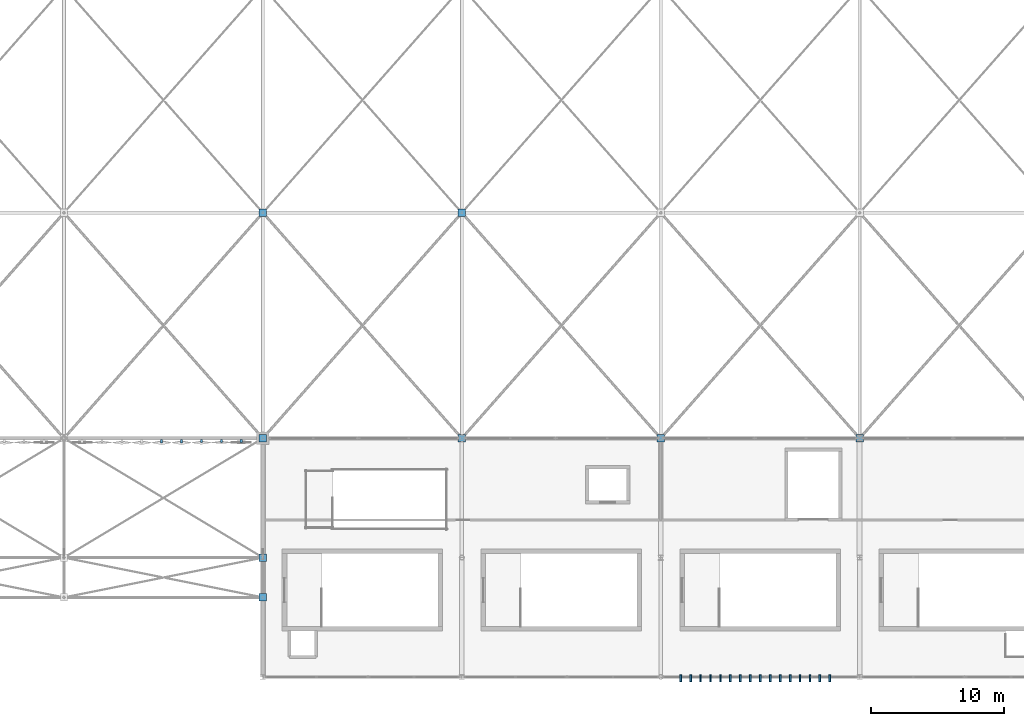
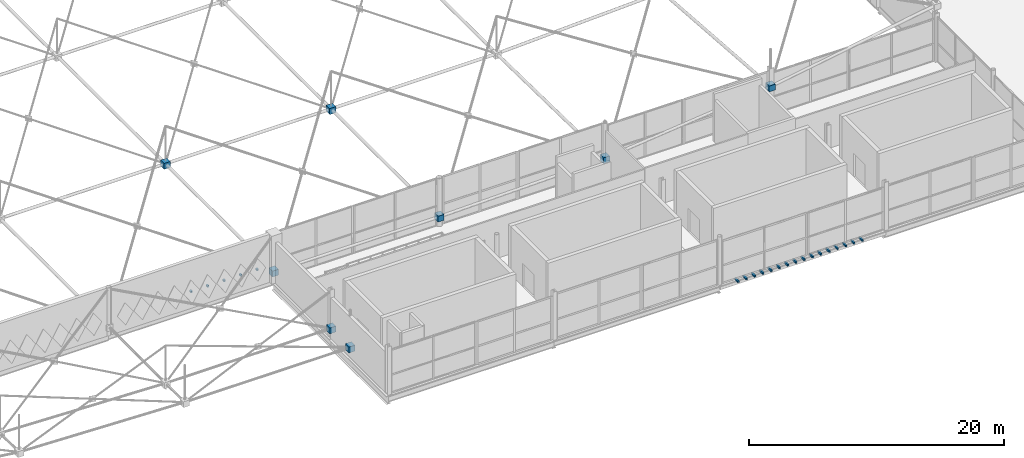
# One storey, part 206 of 224: 29 discrete accessories.
"""IFC4 building model written with IfcOpenShell, lengths in metres."""

from ifc_helpers import new_model, si_unit, direction, frame, origin, origin_2d, place, context, subcontext, project, spatial, rectangle, extrude, material, type_object, element, save


model = new_model("IFC4")

# Units and contexts
model_context = context("Model", 3, precision=1e-05, world=origin(), true_north=direction((0.0, 1.0)))
body_context = subcontext(model_context, "Body", "Model", "MODEL_VIEW")
ifc_project = project(units=[si_unit("LENGTHUNIT", "METRE"), si_unit("AREAUNIT", "SQUARE_METRE"), si_unit("VOLUMEUNIT", "CUBIC_METRE"), si_unit("PLANEANGLEUNIT", "RADIAN"), si_unit("MASSUNIT", "GRAM", prefix="KILO")], contexts=[model_context])

# Site, building, storey
site_placement = place(None, origin())
site = spatial("IfcSite", under=ifc_project, at=site_placement, CompositionType="ELEMENT")
building_placement = place(site_placement, origin())
building = spatial("IfcBuilding", under=site, at=building_placement, Name="Qamarlyn Nura Convention Centre", CompositionType="ELEMENT")
storey_placement = place(building_placement, frame((0.0, 0.0, 10.800048828125)))
storey = spatial("IfcBuildingStorey", under=building, at=storey_placement, Name="L02", CompositionType="ELEMENT", Elevation=10.800048828125)

# Discrete accessories
ifc_material_1 = material(Name="Marine Grade 316 stainless steel", Category="steel")
discrete_accessory_type_1 = type_object("IfcDiscreteAccessoryType", Name="ACC-FIN-BRK", PredefinedType="BRACKET", material=ifc_material_1)
for number, where, z_axis, x_axis, name in (
    (1, (91.5, -0.10009765625, -0.18017578125), (0.0, 0.0, 1.0), (0.0, -1.0, 0.0), "Vertical blade anchor bracket CLUST-A-01-L02"),
    (2, (92.25, -0.10009765625, -0.18017578125), (0.0, 0.0, 1.0), (0.0, -1.0, 0.0), "Vertical blade anchor bracket CLUST-A-02-L02"),
    (3, (93.0, -0.10009765625, -0.18017578125), (0.0, 0.0, 1.0), (0.0, -1.0, 0.0), "Vertical blade anchor bracket CLUST-A-03-L02"),
    (4, (93.75, -0.10009765625, -0.18017578125), (0.0, 0.0, 1.0), (0.0, -1.0, 0.0), "Vertical blade anchor bracket CLUST-A-04-L02"),
    (5, (94.5, -0.10009765625, -0.18017578125), (0.0, 0.0, 1.0), (0.0, -1.0, 0.0), "Vertical blade anchor bracket CLUST-A-05-L02"),
    (6, (95.25, -0.10009765625, -0.18017578125), (0.0, 0.0, 1.0), (0.0, -1.0, 0.0), "Vertical blade anchor bracket CLUST-A-06-L02"),
    (7, (96.0, -0.10009765625, -0.18017578125), (0.0, 0.0, 1.0), (0.0, -1.0, 0.0), "Vertical blade anchor bracket CLUST-A-07-L02"),
    (8, (96.75, -0.10009765625, -0.18017578125), (0.0, 0.0, 1.0), (0.0, -1.0, 0.0), "Vertical blade anchor bracket CLUST-A-08-L02"),
    (9, (97.5, -0.10009765625, -0.18017578125), (0.0, 0.0, 1.0), (0.0, -1.0, 0.0), "Vertical blade anchor bracket CLUST-A-09-L02"),
    (10, (98.25, -0.10009765625, -0.18017578125), (0.0, 0.0, 1.0), (0.0, -1.0, 0.0), "Vertical blade anchor bracket CLUST-A-10-L02"),
    (11, (99.0, -0.10009765625, -0.18017578125), (0.0, 0.0, 1.0), (0.0, -1.0, 0.0), "Vertical blade anchor bracket CLUST-A-11-L02"),
    (12, (99.75, -0.10009765625, -0.18017578125), (0.0, 0.0, 1.0), (0.0, -1.0, 0.0), "Vertical blade anchor bracket CLUST-A-12-L02"),
    (13, (100.5, -0.10009765625, -0.18017578125), (0.0, 0.0, 1.0), (0.0, -1.0, 0.0), "Vertical blade anchor bracket CLUST-A-13-L02"),
    (14, (101.25, -0.10009765625, -0.18017578125), (0.0, 0.0, 1.0), (0.0, -1.0, 0.0), "Vertical blade anchor bracket CLUST-A-14-L02"),
    (15, (102.0, -0.10009765625, -0.18017578125), (0.0, 0.0, 1.0), (0.0, -1.0, 0.0), "Vertical blade anchor bracket CLUST-A-15-L02"),
    (16, (102.75, -0.10009765625, -0.18017578125), (0.0, 0.0, 1.0), (0.0, -1.0, 0.0), "Vertical blade anchor bracket CLUST-A-16-L02"),
):
    element("IfcDiscreteAccessory", number, at=place(storey_placement, frame(where, z_axis=z_axis, x_axis=x_axis)), inside=storey, type_object=discrete_accessory_type_1, Name=name, PredefinedType="BRACKET", context=body_context, shape_type="SweptSolid", body=[
        extrude(rectangle(XDim=0.52001953125, YDim=0.139892578125, at=origin_2d()), origin(), (0.0, 0.0, 1.0), 0.159912109375),
    ])
ifc_material_2 = material(Name="Pearl-white PVDF steel ASTM A500 Grade C", Category="steel")
discrete_accessory_type_2 = type_object("IfcDiscreteAccessoryType", Name="ACC-SF-NODE", PredefinedType="USERDEFINED", material=ifc_material_2)
for number, where, z_axis, x_axis, name in (
    (17, (60.0, 6.0, 0.52001953125), (0.0, 0.0, 1.0), (1.0, 0.0, 0.0), "Cast space frame node BC-6-0"),
    (18, (60.0, 9.0, 0.52001953125), (0.0, 0.0, 1.0), (1.0, 0.0, 0.0), "Cast space frame node BC-6-1"),
    (19, (60.0, 18.0, 0.52001953125), (0.0, 0.0, 1.0), (1.0, 0.0, 0.0), "Cast space frame node BC-6-2"),
    (20, (60.0, 35.0, 0.52001953125), (0.0, 0.0, 1.0), (1.0, 0.0, 0.0), "Cast space frame node BC-6-3"),
    (21, (75.0, 18.0, 0.52001953125), (0.0, 0.0, 1.0), (1.0, 0.0, 0.0), "Cast space frame node BC-7-2"),
    (22, (75.0, 35.0, 0.52001953125), (0.0, 0.0, 1.0), (1.0, 0.0, 0.0), "Cast space frame node BC-7-3"),
    (23, (90.0, 18.0, 0.87060546875), (0.0, 0.0, 1.0), (1.0, 0.0, 0.0), "Cast space frame node BC-8-2"),
    (24, (105.0, 18.0, 2.488525390625), (0.0, 0.0, 1.0), (1.0, 0.0, 0.0), "Cast space frame node BC-9-2"),
):
    element("IfcDiscreteAccessory", number, at=place(storey_placement, frame(where, z_axis=z_axis, x_axis=x_axis)), inside=storey, type_object=discrete_accessory_type_2, Name=name, ObjectType="SPACE FRAME NODE", PredefinedType="USERDEFINED", context=body_context, shape_type="SweptSolid", body=[
        extrude(rectangle(XDim=0.56005859375, YDim=0.56005859375, at=origin_2d()), origin(), (0.0, 0.0, 1.0), 0.56005859375),
    ])
discrete_accessory_type_3 = type_object("IfcDiscreteAccessoryType", Name="ACC-TILE-BRK", PredefinedType="BRACKET", material=ifc_material_1)
discrete_accessory_1_placement = place(storey_placement, frame((58.364013671875, 17.782470703125, 1.6201171875), z_axis=(0.0, 0.0, 1.0), x_axis=(0.0, -1.0, 0.0)))
element("IfcDiscreteAccessory", 25, at=discrete_accessory_1_placement, inside=storey, type_object=discrete_accessory_type_3, Name="L02 diamond tile pivot bracket 0269", PredefinedType="BRACKET", context=body_context, shape_type="SweptSolid", body=[
    extrude(rectangle(XDim=0.215087890625, YDim=0.159912109375, at=origin_2d()), origin(), (0.0, 0.0, 1.0), 0.159912109375),
])
discrete_accessory_2_placement = place(storey_placement, frame((56.864013671875, 17.7802734375, 1.6201171875), z_axis=(0.0, 0.0, 1.0), x_axis=(0.0, -1.0, 0.0)))
element("IfcDiscreteAccessory", 26, at=discrete_accessory_2_placement, inside=storey, type_object=discrete_accessory_type_3, Name="L02 diamond tile pivot bracket 0270", PredefinedType="BRACKET", context=body_context, shape_type="SweptSolid", body=[
    extrude(rectangle(XDim=0.219482421875, YDim=0.159912109375, at=origin_2d()), origin(), (0.0, 0.0, 1.0), 0.159912109375),
])
discrete_accessory_3_placement = place(storey_placement, frame((55.364013671875, 17.77587890625, 1.6201171875), z_axis=(0.0, 0.0, 1.0), x_axis=(0.0, -1.0, 0.0)))
element("IfcDiscreteAccessory", 27, at=discrete_accessory_3_placement, inside=storey, type_object=discrete_accessory_type_3, Name="L02 diamond tile pivot bracket 0271", PredefinedType="BRACKET", context=body_context, shape_type="SweptSolid", body=[
    extrude(rectangle(XDim=0.228515625, YDim=0.159912109375, at=origin_2d()), origin(), (0.0, 0.0, 1.0), 0.159912109375),
])
for number, where, z_axis, x_axis, name in (
    (28, (53.864013671875, 17.7734375, 1.6201171875), (0.0, 0.0, 1.0), (0.0, -1.0, 0.0), "L02 diamond tile pivot bracket 0272"),
    (29, (52.364013671875, 17.7734375, 1.6201171875), (0.0, 0.0, 1.0), (0.0, -1.0, 0.0), "L02 diamond tile pivot bracket 0273"),
):
    element("IfcDiscreteAccessory", number, at=place(storey_placement, frame(where, z_axis=z_axis, x_axis=x_axis)), inside=storey, type_object=discrete_accessory_type_3, Name=name, PredefinedType="BRACKET", context=body_context, shape_type="SweptSolid", body=[
        extrude(rectangle(XDim=0.23291015625, YDim=0.159912109375, at=origin_2d()), origin(), (0.0, 0.0, 1.0), 0.159912109375),
    ])

save(model, "model.ifc")
